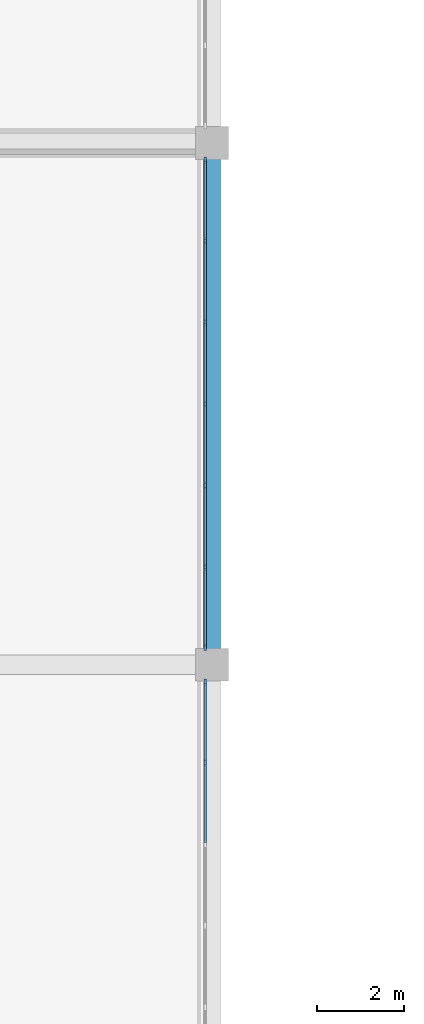
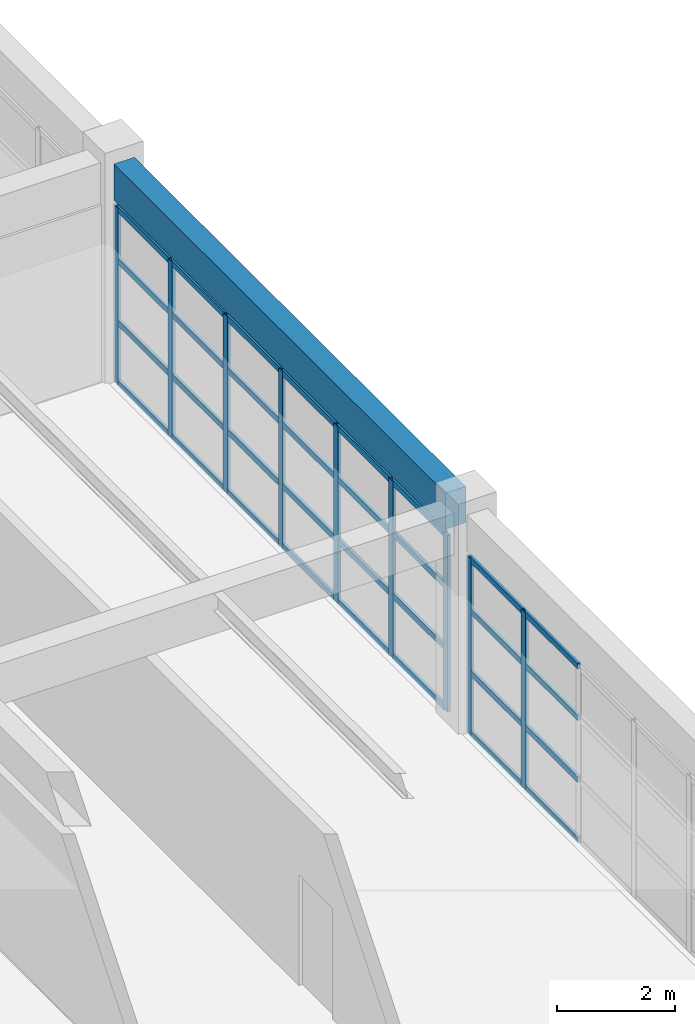
# One storey, part 52 of 109: 41 members, 1 beam, 2 elements without a shape of their own.
"""IFC4 building model written with IfcOpenShell, lengths in metres."""

from ifc_helpers import new_model, si_unit, direction, frame, origin, origin_2d, place, context, subcontext, project, spatial, rectangle, extrude, material, layer, layer_set, material_profile, profile_set, type_object, element, aggregate, save


model = new_model("IFC4")

# Units and contexts
model_context = context("Model", 3, precision=1e-05, world=origin(), true_north=direction((0.0, 1.0)))
body_context = subcontext(model_context, "Body", "Model", "MODEL_VIEW")
ifc_project = project(units=[si_unit("LENGTHUNIT", "METRE"), si_unit("AREAUNIT", "SQUARE_METRE"), si_unit("VOLUMEUNIT", "CUBIC_METRE"), si_unit("PLANEANGLEUNIT", "RADIAN"), si_unit("MASSUNIT", "GRAM", prefix="KILO")], contexts=[model_context])

# Site, building, storey
site_placement = place(None, origin())
site = spatial("IfcSite", under=ifc_project, at=site_placement, CompositionType="ELEMENT")
building_placement = place(site_placement, origin())
building = spatial("IfcBuilding", under=site, at=building_placement, Name="Kivolera Central Railway Station", CompositionType="ELEMENT")
storey_placement = place(building_placement, frame((0.0, 0.0, 9.60009765625)))
storey = spatial("IfcBuildingStorey", under=building, at=storey_placement, Name="L02", CompositionType="ELEMENT", Elevation=9.60009765625)

# Beam
ifc_material_1 = material(Name="Concrete C40/50", Category="concrete")
ifc_material_profile_1 = material_profile(ifc_material_1, rectangle(XDim=0.39990234375, YDim=0.75, at=origin_2d()), Name="RC 400x750")
ifc_profile_set_1 = profile_set([ifc_material_profile_1], Name="Concrete C40/50")
beam_type = type_object("IfcBeamType", Name="BM-RC-400x750", PredefinedType="BEAM", material=ifc_profile_set_1)
beam_placement = place(storey_placement, frame((138.0, 90.366943359375, 4.14501953125), z_axis=(0.0, 1.0, 0.0), x_axis=(-1.0, 0.0, 0.0)))
element("IfcBeam", 1, at=beam_placement, inside=storey, type_object=beam_type, Name="L02 Wing Y-Beam 14:H-J", PredefinedType="BEAM", context=body_context, shape_type="SweptSolid", body=[
    extrude(rectangle(XDim=0.39990234375, YDim=0.75, at=origin_2d()), origin(), (0.0, 0.0, 1.0), 11.26611328125),
])

# Curtain wall, members
ifc_material_2 = material(Name="Anodised aluminium", Category="aluminium")
ifc_layer = layer(ifc_material_2, 0.179931640625, Name="Anodised aluminium")
ifc_layer_set = layer_set([ifc_layer], Name="Anodised aluminium")
curtain_wall_type = type_object("IfcCurtainWallType", Name="CW-SYS-28", PredefinedType="NOTDEFINED", material=ifc_layer_set)
curtain_wall_1_placement = place(storey_placement, origin())
curtain_wall_1 = element("IfcCurtainWall", 2, at=curtain_wall_1_placement, inside=storey, type_object=curtain_wall_type, Name="L02 Curtain Wall CW-L02-CRTW-G", PredefinedType="NOTDEFINED")
ifc_material_profile_2 = material_profile(ifc_material_2, rectangle(XDim=0.06005859375, YDim=0.14990234375, at=origin_2d()), Name="ALU MULL 60x150")
ifc_profile_set_2 = profile_set([ifc_material_profile_2], Name="Anodised aluminium")
member_type_1 = type_object("IfcMemberType", Name="CWM-MUL-2", PredefinedType="MULLION", material=ifc_profile_set_2)
member_1_placement = place(storey_placement, frame((137.846923828125, 89.60009765625, -0.005126953125), z_axis=(0.0, 0.0, 1.0), x_axis=(1.0, 0.0, 0.0)))
member_1 = element("IfcMember", 3, at=member_1_placement, type_object=member_type_1, Name="CW-28 mullion 1", PredefinedType="MULLION", context=body_context, shape_type="SweptSolid", body=[
    extrude(rectangle(XDim=0.06005859375, YDim=0.14990234375, at=origin_2d()), origin(), (0.0, 0.0, 1.0), 3.6630859375),
])
member_2_placement = place(storey_placement, frame((137.846923828125, 87.75341796875, -0.005126953125), z_axis=(0.0, 0.0, 1.0), x_axis=(1.0, 0.0, 0.0)))
member_2 = element("IfcMember", 4, at=member_2_placement, type_object=member_type_1, Name="CW-28 mullion 2", PredefinedType="MULLION", context=body_context, shape_type="SweptSolid", body=[
    extrude(rectangle(XDim=0.06005859375, YDim=0.14990234375, at=origin_2d()), origin(), (0.0, 0.0, 1.0), 3.6630859375),
])

curtain_wall_2_placement = place(storey_placement, origin())
curtain_wall_2 = element("IfcCurtainWall", 5, at=curtain_wall_2_placement, inside=storey, type_object=curtain_wall_type, Name="L02 Curtain Wall CW-L02-CRTW-H", PredefinedType="NOTDEFINED")
member_3_placement = place(storey_placement, frame((137.846923828125, 101.60009765625, -0.005126953125), z_axis=(0.0, 0.0, 1.0), x_axis=(1.0, 0.0, 0.0)))
member_3 = element("IfcMember", 6, at=member_3_placement, type_object=member_type_1, Name="CW-28 mullion 1", PredefinedType="MULLION", context=body_context, shape_type="SweptSolid", body=[
    extrude(rectangle(XDim=0.06005859375, YDim=0.14990234375, at=origin_2d()), origin(), (0.0, 0.0, 1.0), 3.6630859375),
])
member_4_placement = place(storey_placement, frame((137.846923828125, 99.75341796875, -0.005126953125), z_axis=(0.0, 0.0, 1.0), x_axis=(1.0, 0.0, 0.0)))
member_4 = element("IfcMember", 7, at=member_4_placement, type_object=member_type_1, Name="CW-28 mullion 2", PredefinedType="MULLION", context=body_context, shape_type="SweptSolid", body=[
    extrude(rectangle(XDim=0.06005859375, YDim=0.14990234375, at=origin_2d()), origin(), (0.0, 0.0, 1.0), 3.6630859375),
])
member_5_placement = place(storey_placement, frame((137.846923828125, 97.876708984375, -0.005126953125), z_axis=(0.0, 0.0, 1.0), x_axis=(1.0, 0.0, 0.0)))
member_5 = element("IfcMember", 8, at=member_5_placement, type_object=member_type_1, Name="CW-28 mullion 3", PredefinedType="MULLION", context=body_context, shape_type="SweptSolid", body=[
    extrude(rectangle(XDim=0.06005859375, YDim=0.14990234375, at=origin_2d()), origin(), (0.0, 0.0, 1.0), 3.6630859375),
])
member_6_placement = place(storey_placement, frame((137.846923828125, 96.0, -0.005126953125), z_axis=(0.0, 0.0, 1.0), x_axis=(1.0, 0.0, 0.0)))
member_6 = element("IfcMember", 9, at=member_6_placement, type_object=member_type_1, Name="CW-28 mullion 4", PredefinedType="MULLION", context=body_context, shape_type="SweptSolid", body=[
    extrude(rectangle(XDim=0.06005859375, YDim=0.14990234375, at=origin_2d()), origin(), (0.0, 0.0, 1.0), 3.6630859375),
])
member_7_placement = place(storey_placement, frame((137.846923828125, 94.123291015625, -0.005126953125), z_axis=(0.0, 0.0, 1.0), x_axis=(1.0, 0.0, 0.0)))
member_7 = element("IfcMember", 10, at=member_7_placement, type_object=member_type_1, Name="CW-28 mullion 5", PredefinedType="MULLION", context=body_context, shape_type="SweptSolid", body=[
    extrude(rectangle(XDim=0.06005859375, YDim=0.14990234375, at=origin_2d()), origin(), (0.0, 0.0, 1.0), 3.6630859375),
])
member_8_placement = place(storey_placement, frame((137.846923828125, 92.24658203125, -0.005126953125), z_axis=(0.0, 0.0, 1.0), x_axis=(1.0, 0.0, 0.0)))
member_8 = element("IfcMember", 11, at=member_8_placement, type_object=member_type_1, Name="CW-28 mullion 6", PredefinedType="MULLION", context=body_context, shape_type="SweptSolid", body=[
    extrude(rectangle(XDim=0.06005859375, YDim=0.14990234375, at=origin_2d()), origin(), (0.0, 0.0, 1.0), 3.6630859375),
])
member_9_placement = place(storey_placement, frame((137.846923828125, 90.39990234375, -0.005126953125), z_axis=(0.0, 0.0, 1.0), x_axis=(1.0, 0.0, 0.0)))
member_9 = element("IfcMember", 12, at=member_9_placement, type_object=member_type_1, Name="CW-28 mullion 7", PredefinedType="MULLION", context=body_context, shape_type="SweptSolid", body=[
    extrude(rectangle(XDim=0.06005859375, YDim=0.14990234375, at=origin_2d()), origin(), (0.0, 0.0, 1.0), 3.6630859375),
])

# Member
ifc_material_profile_3 = material_profile(ifc_material_2, rectangle(XDim=0.06005859375, YDim=0.1201171875, at=origin_2d()), Name="ALU TRAN 60x120")
ifc_profile_set_3 = profile_set([ifc_material_profile_3], Name="Anodised aluminium")
member_type_2 = type_object("IfcMemberType", Name="CWM-TRN-2", PredefinedType="USERDEFINED", material=ifc_profile_set_3)
member_10_placement = place(storey_placement, frame((137.846923828125, 89.570068359375, 0.02978515625), z_axis=(0.0, -1.0, 0.0), x_axis=(1.0, 0.0, 0.0)))
member_10 = element("IfcMember", 13, at=member_10_placement, type_object=member_type_2, Name="CW-28 transom 1.1", ObjectType="TRANSOM", PredefinedType="USERDEFINED", context=body_context, shape_type="SweptSolid", body=[
    extrude(rectangle(XDim=0.06005859375, YDim=0.1201171875, at=origin_2d()), origin(), (0.0, 0.0, 1.0), 1.78662109375),
])

member_11_placement = place(storey_placement, frame((137.846923828125, 89.570068359375, 1.2802734375), z_axis=(0.0, -1.0, 0.0), x_axis=(1.0, 0.0, 0.0)))
member_11 = element("IfcMember", 14, at=member_11_placement, type_object=member_type_2, Name="CW-28 transom 1.2", ObjectType="TRANSOM", PredefinedType="USERDEFINED", context=body_context, shape_type="SweptSolid", body=[
    extrude(rectangle(XDim=0.06005859375, YDim=0.1201171875, at=origin_2d()), origin(), (0.0, 0.0, 1.0), 1.78662109375),
])

member_12_placement = place(storey_placement, frame((137.846923828125, 89.570068359375, 2.560546875), z_axis=(0.0, -1.0, 0.0), x_axis=(1.0, 0.0, 0.0)))
member_12 = element("IfcMember", 15, at=member_12_placement, type_object=member_type_2, Name="CW-28 transom 1.3", ObjectType="TRANSOM", PredefinedType="USERDEFINED", context=body_context, shape_type="SweptSolid", body=[
    extrude(rectangle(XDim=0.06005859375, YDim=0.1201171875, at=origin_2d()), origin(), (0.0, 0.0, 1.0), 1.78662109375),
])

member_13_placement = place(storey_placement, frame((137.846923828125, 89.570068359375, 3.6279296875), z_axis=(0.0, -1.0, 0.0), x_axis=(1.0, 0.0, 0.0)))
member_13 = element("IfcMember", 16, at=member_13_placement, type_object=member_type_2, Name="CW-28 transom 1.4", ObjectType="TRANSOM", PredefinedType="USERDEFINED", context=body_context, shape_type="SweptSolid", body=[
    extrude(rectangle(XDim=0.06005859375, YDim=0.1201171875, at=origin_2d()), origin(), (0.0, 0.0, 1.0), 1.78662109375),
])

member_14_placement = place(storey_placement, frame((137.846923828125, 87.723388671875, 0.02978515625), z_axis=(0.0, -1.0, 0.0), x_axis=(1.0, 0.0, 0.0)))
member_14 = element("IfcMember", 17, at=member_14_placement, type_object=member_type_2, Name="CW-28 transom 2.1", ObjectType="TRANSOM", PredefinedType="USERDEFINED", context=body_context, shape_type="SweptSolid", body=[
    extrude(rectangle(XDim=0.06005859375, YDim=0.1201171875, at=origin_2d()), origin(), (0.0, 0.0, 1.0), 1.816650390625),
])

member_15_placement = place(storey_placement, frame((137.846923828125, 87.723388671875, 1.2802734375), z_axis=(0.0, -1.0, 0.0), x_axis=(1.0, 0.0, 0.0)))
member_15 = element("IfcMember", 18, at=member_15_placement, type_object=member_type_2, Name="CW-28 transom 2.2", ObjectType="TRANSOM", PredefinedType="USERDEFINED", context=body_context, shape_type="SweptSolid", body=[
    extrude(rectangle(XDim=0.06005859375, YDim=0.1201171875, at=origin_2d()), origin(), (0.0, 0.0, 1.0), 1.816650390625),
])

member_16_placement = place(storey_placement, frame((137.846923828125, 87.723388671875, 2.560546875), z_axis=(0.0, -1.0, 0.0), x_axis=(1.0, 0.0, 0.0)))
member_16 = element("IfcMember", 19, at=member_16_placement, type_object=member_type_2, Name="CW-28 transom 2.3", ObjectType="TRANSOM", PredefinedType="USERDEFINED", context=body_context, shape_type="SweptSolid", body=[
    extrude(rectangle(XDim=0.06005859375, YDim=0.1201171875, at=origin_2d()), origin(), (0.0, 0.0, 1.0), 1.816650390625),
])

member_17_placement = place(storey_placement, frame((137.846923828125, 87.723388671875, 3.6279296875), z_axis=(0.0, -1.0, 0.0), x_axis=(1.0, 0.0, 0.0)))
member_17 = element("IfcMember", 20, at=member_17_placement, type_object=member_type_2, Name="CW-28 transom 2.4", ObjectType="TRANSOM", PredefinedType="USERDEFINED", context=body_context, shape_type="SweptSolid", body=[
    extrude(rectangle(XDim=0.06005859375, YDim=0.1201171875, at=origin_2d()), origin(), (0.0, 0.0, 1.0), 1.816650390625),
])

aggregate(curtain_wall_1, [member_1, member_2, member_10, member_11, member_12, member_13, member_14, member_15, member_16, member_17])

member_18_placement = place(storey_placement, frame((137.846923828125, 101.570068359375, 0.02978515625), z_axis=(0.0, -1.0, 0.0), x_axis=(1.0, 0.0, 0.0)))
member_18 = element("IfcMember", 21, at=member_18_placement, type_object=member_type_2, Name="CW-28 transom 1.1", ObjectType="TRANSOM", PredefinedType="USERDEFINED", context=body_context, shape_type="SweptSolid", body=[
    extrude(rectangle(XDim=0.06005859375, YDim=0.1201171875, at=origin_2d()), origin(), (0.0, 0.0, 1.0), 1.78662109375),
])

member_19_placement = place(storey_placement, frame((137.846923828125, 101.570068359375, 1.2802734375), z_axis=(0.0, -1.0, 0.0), x_axis=(1.0, 0.0, 0.0)))
member_19 = element("IfcMember", 22, at=member_19_placement, type_object=member_type_2, Name="CW-28 transom 1.2", ObjectType="TRANSOM", PredefinedType="USERDEFINED", context=body_context, shape_type="SweptSolid", body=[
    extrude(rectangle(XDim=0.06005859375, YDim=0.1201171875, at=origin_2d()), origin(), (0.0, 0.0, 1.0), 1.78662109375),
])

member_20_placement = place(storey_placement, frame((137.846923828125, 101.570068359375, 2.560546875), z_axis=(0.0, -1.0, 0.0), x_axis=(1.0, 0.0, 0.0)))
member_20 = element("IfcMember", 23, at=member_20_placement, type_object=member_type_2, Name="CW-28 transom 1.3", ObjectType="TRANSOM", PredefinedType="USERDEFINED", context=body_context, shape_type="SweptSolid", body=[
    extrude(rectangle(XDim=0.06005859375, YDim=0.1201171875, at=origin_2d()), origin(), (0.0, 0.0, 1.0), 1.78662109375),
])

member_21_placement = place(storey_placement, frame((137.846923828125, 101.570068359375, 3.6279296875), z_axis=(0.0, -1.0, 0.0), x_axis=(1.0, 0.0, 0.0)))
member_21 = element("IfcMember", 24, at=member_21_placement, type_object=member_type_2, Name="CW-28 transom 1.4", ObjectType="TRANSOM", PredefinedType="USERDEFINED", context=body_context, shape_type="SweptSolid", body=[
    extrude(rectangle(XDim=0.06005859375, YDim=0.1201171875, at=origin_2d()), origin(), (0.0, 0.0, 1.0), 1.78662109375),
])

member_22_placement = place(storey_placement, frame((137.846923828125, 99.723388671875, 0.02978515625), z_axis=(0.0, -1.0, 0.0), x_axis=(1.0, 0.0, 0.0)))
member_22 = element("IfcMember", 25, at=member_22_placement, type_object=member_type_2, Name="CW-28 transom 2.1", ObjectType="TRANSOM", PredefinedType="USERDEFINED", context=body_context, shape_type="SweptSolid", body=[
    extrude(rectangle(XDim=0.06005859375, YDim=0.1201171875, at=origin_2d()), origin(), (0.0, 0.0, 1.0), 1.816650390625),
])

member_23_placement = place(storey_placement, frame((137.846923828125, 99.723388671875, 1.2802734375), z_axis=(0.0, -1.0, 0.0), x_axis=(1.0, 0.0, 0.0)))
member_23 = element("IfcMember", 26, at=member_23_placement, type_object=member_type_2, Name="CW-28 transom 2.2", ObjectType="TRANSOM", PredefinedType="USERDEFINED", context=body_context, shape_type="SweptSolid", body=[
    extrude(rectangle(XDim=0.06005859375, YDim=0.1201171875, at=origin_2d()), origin(), (0.0, 0.0, 1.0), 1.816650390625),
])

member_24_placement = place(storey_placement, frame((137.846923828125, 99.723388671875, 2.560546875), z_axis=(0.0, -1.0, 0.0), x_axis=(1.0, 0.0, 0.0)))
member_24 = element("IfcMember", 27, at=member_24_placement, type_object=member_type_2, Name="CW-28 transom 2.3", ObjectType="TRANSOM", PredefinedType="USERDEFINED", context=body_context, shape_type="SweptSolid", body=[
    extrude(rectangle(XDim=0.06005859375, YDim=0.1201171875, at=origin_2d()), origin(), (0.0, 0.0, 1.0), 1.816650390625),
])

member_25_placement = place(storey_placement, frame((137.846923828125, 99.723388671875, 3.6279296875), z_axis=(0.0, -1.0, 0.0), x_axis=(1.0, 0.0, 0.0)))
member_25 = element("IfcMember", 28, at=member_25_placement, type_object=member_type_2, Name="CW-28 transom 2.4", ObjectType="TRANSOM", PredefinedType="USERDEFINED", context=body_context, shape_type="SweptSolid", body=[
    extrude(rectangle(XDim=0.06005859375, YDim=0.1201171875, at=origin_2d()), origin(), (0.0, 0.0, 1.0), 1.816650390625),
])

member_26_placement = place(storey_placement, frame((137.846923828125, 97.8466796875, 0.02978515625), z_axis=(0.0, -1.0, 0.0), x_axis=(1.0, 0.0, 0.0)))
member_26 = element("IfcMember", 29, at=member_26_placement, type_object=member_type_2, Name="CW-28 transom 3.1", ObjectType="TRANSOM", PredefinedType="USERDEFINED", context=body_context, shape_type="SweptSolid", body=[
    extrude(rectangle(XDim=0.06005859375, YDim=0.1201171875, at=origin_2d()), origin(), (0.0, 0.0, 1.0), 1.816650390625),
])

member_27_placement = place(storey_placement, frame((137.846923828125, 97.8466796875, 1.2802734375), z_axis=(0.0, -1.0, 0.0), x_axis=(1.0, 0.0, 0.0)))
member_27 = element("IfcMember", 30, at=member_27_placement, type_object=member_type_2, Name="CW-28 transom 3.2", ObjectType="TRANSOM", PredefinedType="USERDEFINED", context=body_context, shape_type="SweptSolid", body=[
    extrude(rectangle(XDim=0.06005859375, YDim=0.1201171875, at=origin_2d()), origin(), (0.0, 0.0, 1.0), 1.816650390625),
])

member_28_placement = place(storey_placement, frame((137.846923828125, 97.8466796875, 2.560546875), z_axis=(0.0, -1.0, 0.0), x_axis=(1.0, 0.0, 0.0)))
member_28 = element("IfcMember", 31, at=member_28_placement, type_object=member_type_2, Name="CW-28 transom 3.3", ObjectType="TRANSOM", PredefinedType="USERDEFINED", context=body_context, shape_type="SweptSolid", body=[
    extrude(rectangle(XDim=0.06005859375, YDim=0.1201171875, at=origin_2d()), origin(), (0.0, 0.0, 1.0), 1.816650390625),
])

member_29_placement = place(storey_placement, frame((137.846923828125, 97.8466796875, 3.6279296875), z_axis=(0.0, -1.0, 0.0), x_axis=(1.0, 0.0, 0.0)))
member_29 = element("IfcMember", 32, at=member_29_placement, type_object=member_type_2, Name="CW-28 transom 3.4", ObjectType="TRANSOM", PredefinedType="USERDEFINED", context=body_context, shape_type="SweptSolid", body=[
    extrude(rectangle(XDim=0.06005859375, YDim=0.1201171875, at=origin_2d()), origin(), (0.0, 0.0, 1.0), 1.816650390625),
])

member_30_placement = place(storey_placement, frame((137.846923828125, 95.969970703125, 0.02978515625), z_axis=(0.0, -1.0, 0.0), x_axis=(1.0, 0.0, 0.0)))
member_30 = element("IfcMember", 33, at=member_30_placement, type_object=member_type_2, Name="CW-28 transom 4.1", ObjectType="TRANSOM", PredefinedType="USERDEFINED", context=body_context, shape_type="SweptSolid", body=[
    extrude(rectangle(XDim=0.06005859375, YDim=0.1201171875, at=origin_2d()), origin(), (0.0, 0.0, 1.0), 1.816650390625),
])

member_31_placement = place(storey_placement, frame((137.846923828125, 95.969970703125, 1.2802734375), z_axis=(0.0, -1.0, 0.0), x_axis=(1.0, 0.0, 0.0)))
member_31 = element("IfcMember", 34, at=member_31_placement, type_object=member_type_2, Name="CW-28 transom 4.2", ObjectType="TRANSOM", PredefinedType="USERDEFINED", context=body_context, shape_type="SweptSolid", body=[
    extrude(rectangle(XDim=0.06005859375, YDim=0.1201171875, at=origin_2d()), origin(), (0.0, 0.0, 1.0), 1.816650390625),
])

member_32_placement = place(storey_placement, frame((137.846923828125, 95.969970703125, 2.560546875), z_axis=(0.0, -1.0, 0.0), x_axis=(1.0, 0.0, 0.0)))
member_32 = element("IfcMember", 35, at=member_32_placement, type_object=member_type_2, Name="CW-28 transom 4.3", ObjectType="TRANSOM", PredefinedType="USERDEFINED", context=body_context, shape_type="SweptSolid", body=[
    extrude(rectangle(XDim=0.06005859375, YDim=0.1201171875, at=origin_2d()), origin(), (0.0, 0.0, 1.0), 1.816650390625),
])

member_33_placement = place(storey_placement, frame((137.846923828125, 95.969970703125, 3.6279296875), z_axis=(0.0, -1.0, 0.0), x_axis=(1.0, 0.0, 0.0)))
member_33 = element("IfcMember", 36, at=member_33_placement, type_object=member_type_2, Name="CW-28 transom 4.4", ObjectType="TRANSOM", PredefinedType="USERDEFINED", context=body_context, shape_type="SweptSolid", body=[
    extrude(rectangle(XDim=0.06005859375, YDim=0.1201171875, at=origin_2d()), origin(), (0.0, 0.0, 1.0), 1.816650390625),
])

member_34_placement = place(storey_placement, frame((137.846923828125, 94.09326171875, 0.02978515625), z_axis=(0.0, -1.0, 0.0), x_axis=(1.0, 0.0, 0.0)))
member_34 = element("IfcMember", 37, at=member_34_placement, type_object=member_type_2, Name="CW-28 transom 5.1", ObjectType="TRANSOM", PredefinedType="USERDEFINED", context=body_context, shape_type="SweptSolid", body=[
    extrude(rectangle(XDim=0.06005859375, YDim=0.1201171875, at=origin_2d()), origin(), (0.0, 0.0, 1.0), 1.816650390625),
])

member_35_placement = place(storey_placement, frame((137.846923828125, 94.09326171875, 1.2802734375), z_axis=(0.0, -1.0, 0.0), x_axis=(1.0, 0.0, 0.0)))
member_35 = element("IfcMember", 38, at=member_35_placement, type_object=member_type_2, Name="CW-28 transom 5.2", ObjectType="TRANSOM", PredefinedType="USERDEFINED", context=body_context, shape_type="SweptSolid", body=[
    extrude(rectangle(XDim=0.06005859375, YDim=0.1201171875, at=origin_2d()), origin(), (0.0, 0.0, 1.0), 1.816650390625),
])

member_36_placement = place(storey_placement, frame((137.846923828125, 94.09326171875, 2.560546875), z_axis=(0.0, -1.0, 0.0), x_axis=(1.0, 0.0, 0.0)))
member_36 = element("IfcMember", 39, at=member_36_placement, type_object=member_type_2, Name="CW-28 transom 5.3", ObjectType="TRANSOM", PredefinedType="USERDEFINED", context=body_context, shape_type="SweptSolid", body=[
    extrude(rectangle(XDim=0.06005859375, YDim=0.1201171875, at=origin_2d()), origin(), (0.0, 0.0, 1.0), 1.816650390625),
])

member_37_placement = place(storey_placement, frame((137.846923828125, 94.09326171875, 3.6279296875), z_axis=(0.0, -1.0, 0.0), x_axis=(1.0, 0.0, 0.0)))
member_37 = element("IfcMember", 40, at=member_37_placement, type_object=member_type_2, Name="CW-28 transom 5.4", ObjectType="TRANSOM", PredefinedType="USERDEFINED", context=body_context, shape_type="SweptSolid", body=[
    extrude(rectangle(XDim=0.06005859375, YDim=0.1201171875, at=origin_2d()), origin(), (0.0, 0.0, 1.0), 1.816650390625),
])

member_38_placement = place(storey_placement, frame((137.846923828125, 92.216552734375, 0.02978515625), z_axis=(0.0, -1.0, 0.0), x_axis=(1.0, 0.0, 0.0)))
member_38 = element("IfcMember", 41, at=member_38_placement, type_object=member_type_2, Name="CW-28 transom 6.1", ObjectType="TRANSOM", PredefinedType="USERDEFINED", context=body_context, shape_type="SweptSolid", body=[
    extrude(rectangle(XDim=0.06005859375, YDim=0.1201171875, at=origin_2d()), origin(), (0.0, 0.0, 1.0), 1.78662109375),
])

member_39_placement = place(storey_placement, frame((137.846923828125, 92.216552734375, 1.2802734375), z_axis=(0.0, -1.0, 0.0), x_axis=(1.0, 0.0, 0.0)))
member_39 = element("IfcMember", 42, at=member_39_placement, type_object=member_type_2, Name="CW-28 transom 6.2", ObjectType="TRANSOM", PredefinedType="USERDEFINED", context=body_context, shape_type="SweptSolid", body=[
    extrude(rectangle(XDim=0.06005859375, YDim=0.1201171875, at=origin_2d()), origin(), (0.0, 0.0, 1.0), 1.78662109375),
])

member_40_placement = place(storey_placement, frame((137.846923828125, 92.216552734375, 2.560546875), z_axis=(0.0, -1.0, 0.0), x_axis=(1.0, 0.0, 0.0)))
member_40 = element("IfcMember", 43, at=member_40_placement, type_object=member_type_2, Name="CW-28 transom 6.3", ObjectType="TRANSOM", PredefinedType="USERDEFINED", context=body_context, shape_type="SweptSolid", body=[
    extrude(rectangle(XDim=0.06005859375, YDim=0.1201171875, at=origin_2d()), origin(), (0.0, 0.0, 1.0), 1.78662109375),
])

member_41_placement = place(storey_placement, frame((137.846923828125, 92.216552734375, 3.6279296875), z_axis=(0.0, -1.0, 0.0), x_axis=(1.0, 0.0, 0.0)))
member_41 = element("IfcMember", 44, at=member_41_placement, type_object=member_type_2, Name="CW-28 transom 6.4", ObjectType="TRANSOM", PredefinedType="USERDEFINED", context=body_context, shape_type="SweptSolid", body=[
    extrude(rectangle(XDim=0.06005859375, YDim=0.1201171875, at=origin_2d()), origin(), (0.0, 0.0, 1.0), 1.78662109375),
])

aggregate(curtain_wall_2, [member_3, member_4, member_5, member_6, member_7, member_8, member_9, member_18, member_19, member_20, member_21, member_22, member_23, member_24, member_25, member_26, member_27, member_28, member_29, member_30, member_31, member_32, member_33, member_34, member_35, member_36, member_37, member_38, member_39, member_40, member_41])

save(model, "model.ifc")
